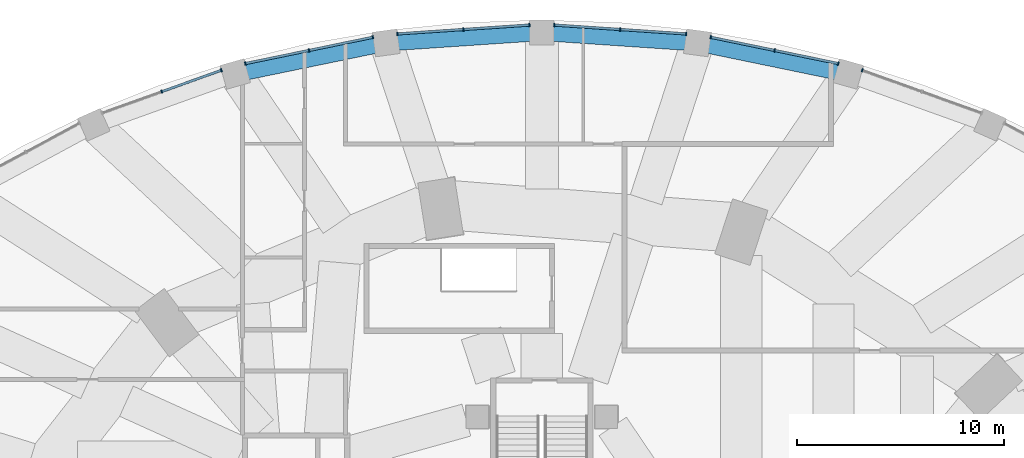
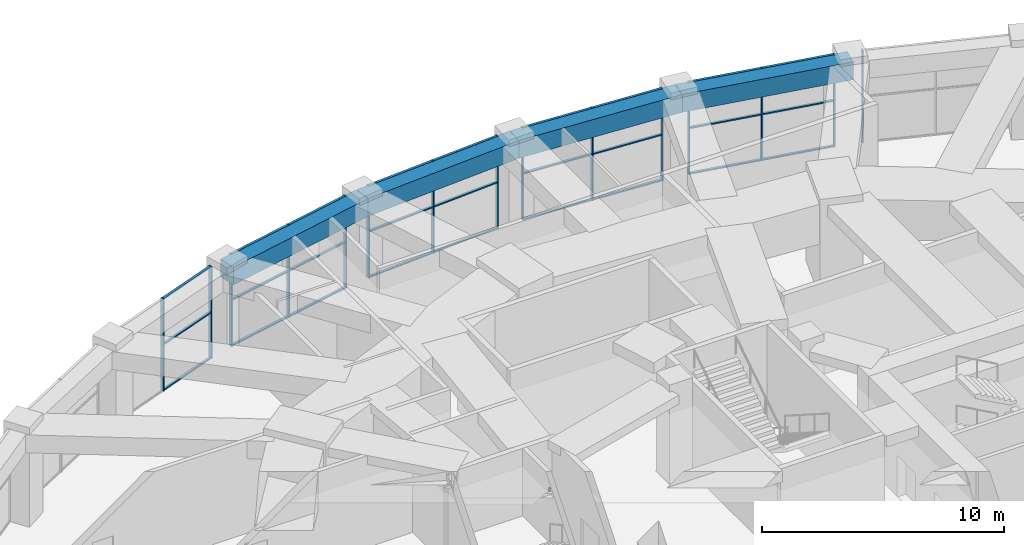
# One storey, part 16 of 30: 42 members, 4 beams, 6 elements without a shape of their own.
"""IFC4 building model written with IfcOpenShell, lengths in metres."""

from ifc_helpers import new_model, si_unit, direction, frame, origin, origin_2d, place, context, subcontext, project, spatial, rectangle, extrude, material, material_profile, profile_set, type_object, element, aggregate, save


model = new_model("IFC4")

# Units and contexts
model_context = context("Model", 3, precision=1e-05, world=origin(), true_north=direction((0.0, 1.0)))
body_context = subcontext(model_context, "Body", "Model", "MODEL_VIEW")
ifc_project = project(units=[si_unit("LENGTHUNIT", "METRE"), si_unit("AREAUNIT", "SQUARE_METRE"), si_unit("VOLUMEUNIT", "CUBIC_METRE"), si_unit("PLANEANGLEUNIT", "RADIAN"), si_unit("MASSUNIT", "GRAM", prefix="KILO")], contexts=[model_context])

# Site, building, storey
site_placement = place(None, origin())
site = spatial("IfcSite", under=ifc_project, at=site_placement, CompositionType="ELEMENT")
building_placement = place(site_placement, origin())
building = spatial("IfcBuilding", under=site, at=building_placement, Name="Taillehof Tower", CompositionType="ELEMENT")
storey_placement = place(building_placement, frame((0.0, 0.0, 12.5)))
storey = spatial("IfcBuildingStorey", under=building, at=storey_placement, Name="L02", CompositionType="ELEMENT", Elevation=12.5)

# Beams
ifc_material_1 = material(Name="Concrete C50/60", Category="concrete")
ifc_material_profile_1 = material_profile(ifc_material_1, rectangle(XDim=0.800048828125, YDim=0.89990234375, at=origin_2d()), Name="RC 800x900")
ifc_profile_set_1 = profile_set([ifc_material_profile_1], Name="Concrete C50/60")
beam_type = type_object("IfcBeamType", Name="Podium edge beam C50/60 800x900", PredefinedType="BEAM", material=ifc_profile_set_1)
beam_1_placement = place(storey_placement, frame((14.84375, 31.3857421875, 4.199951171875), z_axis=(-0.979394077534, 0.201958512797, 0.0), x_axis=(-0.201958512797, -0.979394077534, 0.0)))
element("IfcBeam", 1, at=beam_1_placement, inside=storey, type_object=beam_type, Name="Podium edge beam PB08", PredefinedType="BEAM", context=body_context, shape_type="SweptSolid", body=[
    extrude(rectangle(XDim=0.800048828125, YDim=0.89990234375, at=origin_2d()), origin(), (0.0, 0.0, 1.0), 7.461181640625),
])
for number, where, z_axis, x_axis, name in (
    (2, (7.536376953125, 32.892578125, 4.199951171875), (-0.997741900844, 0.067164717676, 0.0), (-0.067164717676, -0.997741900844, 0.0), "Podium edge beam PB09"),
    (3, (0.0, 33.39990234375, 4.199951171875), (-0.997741900844, -0.067164717676, 0.0), (0.067164717676, -0.997741900844, 0.0), "Podium edge beam PB10"),
):
    element("IfcBeam", number, at=place(storey_placement, frame(where, z_axis=z_axis, x_axis=x_axis)), inside=storey, type_object=beam_type, Name=name, PredefinedType="BEAM", context=body_context, shape_type="SweptSolid", body=[
        extrude(rectangle(XDim=0.800048828125, YDim=0.89990234375, at=origin_2d()), origin(), (0.0, 0.0, 1.0), 7.553466796875),
    ])
beam_2_placement = place(storey_placement, frame((-7.536376953125, 32.892578125, 4.199951171875), z_axis=(-0.979394077534, -0.201958512797, 0.0), x_axis=(0.201958512797, -0.979394077534, 0.0)))
element("IfcBeam", 4, at=beam_2_placement, inside=storey, type_object=beam_type, Name="Podium edge beam PB11", PredefinedType="BEAM", context=body_context, shape_type="SweptSolid", body=[
    extrude(rectangle(XDim=0.800048828125, YDim=0.89990234375, at=origin_2d()), origin(), (0.0, 0.0, 1.0), 7.461181640625),
])

# Curtain wall, member
ifc_material_2 = material(Name="Aluminium curtain wall with Clear low-emissivity double glazing", Category="aluminium")
curtain_wall_type = type_object("IfcCurtainWallType", Name="Podium window wall curtain wall", PredefinedType="USERDEFINED", material=ifc_material_2)
curtain_wall_1_placement = place(storey_placement, origin())
curtain_wall_1 = element("IfcCurtainWall", 5, at=curtain_wall_1_placement, inside=storey, type_object=curtain_wall_type, Name="Podium window wall L02 bay 7", ObjectType="WINDOW WALL", PredefinedType="USERDEFINED")
ifc_material_3 = material(Name="Aluminium mullion", Category="aluminium")
ifc_material_profile_2 = material_profile(ifc_material_3, rectangle(XDim=0.159912109375, YDim=0.06005859375, at=origin_2d()), Name="AL 60x160")
ifc_profile_set_2 = profile_set([ifc_material_profile_2], Name="Aluminium mullion")
member_type_1 = type_object("IfcMemberType", Name="Podium window wall mullion 60x160", PredefinedType="MULLION", material=ifc_profile_set_2)
member_1_placement = place(storey_placement, frame((15.51806640625, 31.567138671875, 0.0), z_axis=(0.0, 0.0, 1.0), x_axis=(-0.337798502496, -0.94121845058, 0.0)))
member_1 = element("IfcMember", 6, at=member_1_placement, type_object=member_type_1, Name="CT207 mullion 3", PredefinedType="MULLION", context=body_context, shape_type="SweptSolid", body=[
    extrude(rectangle(XDim=0.159912109375, YDim=0.06005859375, at=origin_2d()), origin(), (0.0, 0.0, 1.0), 4.64990234375),
])
aggregate(curtain_wall_1, [member_1])

# Curtain wall, members
curtain_wall_2_placement = place(storey_placement, origin())
curtain_wall_2 = element("IfcCurtainWall", 7, at=curtain_wall_2_placement, inside=storey, type_object=curtain_wall_type, Name="Podium window wall L02 bay 8", ObjectType="WINDOW WALL", PredefinedType="USERDEFINED")
member_2_placement = place(storey_placement, frame((14.36279296875, 31.891845703125, 0.0), z_axis=(0.0, 0.0, 1.0), x_axis=(-0.201976001877, -0.97939047099, 0.0)))
member_2 = element("IfcMember", 8, at=member_2_placement, type_object=member_type_1, Name="CT208 mullion 1", PredefinedType="MULLION", context=body_context, shape_type="SweptSolid", body=[
    extrude(rectangle(XDim=0.159912109375, YDim=0.06005859375, at=origin_2d()), origin(), (0.0, 0.0, 1.0), 4.64990234375),
])
member_3_placement = place(storey_placement, frame((11.27099609375, 32.529296875, 0.0), z_axis=(0.0, 0.0, 1.0), x_axis=(-0.201976001877, -0.97939047099, 0.0)))
member_3 = element("IfcMember", 9, at=member_3_placement, type_object=member_type_1, Name="CT208 mullion 2", PredefinedType="MULLION", context=body_context, shape_type="SweptSolid", body=[
    extrude(rectangle(XDim=0.159912109375, YDim=0.06005859375, at=origin_2d()), origin(), (0.0, 0.0, 1.0), 4.64990234375),
])
member_4_placement = place(storey_placement, frame((8.17919921875, 33.1669921875, 0.0), z_axis=(0.0, 0.0, 1.0), x_axis=(-0.201976001877, -0.97939047099, 0.0)))
member_4 = element("IfcMember", 10, at=member_4_placement, type_object=member_type_1, Name="CT208 mullion 3", PredefinedType="MULLION", context=body_context, shape_type="SweptSolid", body=[
    extrude(rectangle(XDim=0.159912109375, YDim=0.06005859375, at=origin_2d()), origin(), (0.0, 0.0, 1.0), 4.64990234375),
])

curtain_wall_3_placement = place(storey_placement, origin())
curtain_wall_3 = element("IfcCurtainWall", 11, at=curtain_wall_3_placement, inside=storey, type_object=curtain_wall_type, Name="Podium window wall L02 bay 9", ObjectType="WINDOW WALL", PredefinedType="USERDEFINED")
member_5_placement = place(storey_placement, frame((6.990234375, 33.328857421875, 0.0), z_axis=(0.0, 0.0, 1.0), x_axis=(-0.067182989977, -0.997740670644, 0.0)))
member_5 = element("IfcMember", 12, at=member_5_placement, type_object=member_type_1, Name="CT209 mullion 1", PredefinedType="MULLION", context=body_context, shape_type="SweptSolid", body=[
    extrude(rectangle(XDim=0.159912109375, YDim=0.06005859375, at=origin_2d()), origin(), (0.0, 0.0, 1.0), 4.64990234375),
])
member_6_placement = place(storey_placement, frame((3.795166015625, 33.5439453125, 0.0), z_axis=(0.0, 0.0, 1.0), x_axis=(-0.067182989977, -0.997740670644, 0.0)))
member_6 = element("IfcMember", 13, at=member_6_placement, type_object=member_type_1, Name="CT209 mullion 2", PredefinedType="MULLION", context=body_context, shape_type="SweptSolid", body=[
    extrude(rectangle(XDim=0.159912109375, YDim=0.06005859375, at=origin_2d()), origin(), (0.0, 0.0, 1.0), 4.64990234375),
])
member_7_placement = place(storey_placement, frame((0.60009765625, 33.759033203125, 0.0), z_axis=(0.0, 0.0, 1.0), x_axis=(-0.067182989977, -0.997740670644, 0.0)))
member_7 = element("IfcMember", 14, at=member_7_placement, type_object=member_type_1, Name="CT209 mullion 3", PredefinedType="MULLION", context=body_context, shape_type="SweptSolid", body=[
    extrude(rectangle(XDim=0.159912109375, YDim=0.06005859375, at=origin_2d()), origin(), (0.0, 0.0, 1.0), 4.64990234375),
])

curtain_wall_4_placement = place(storey_placement, origin())
curtain_wall_4 = element("IfcCurtainWall", 15, at=curtain_wall_4_placement, inside=storey, type_object=curtain_wall_type, Name="Podium window wall L02 bay 10", ObjectType="WINDOW WALL", PredefinedType="USERDEFINED")
member_8_placement = place(storey_placement, frame((-0.60009765625, 33.759033203125, 0.0), z_axis=(0.0, 0.0, 1.0), x_axis=(0.067182989977, -0.997740670644, 0.0)))
member_8 = element("IfcMember", 16, at=member_8_placement, type_object=member_type_1, Name="CT210 mullion 1", PredefinedType="MULLION", context=body_context, shape_type="SweptSolid", body=[
    extrude(rectangle(XDim=0.159912109375, YDim=0.06005859375, at=origin_2d()), origin(), (0.0, 0.0, 1.0), 4.64990234375),
])
member_9_placement = place(storey_placement, frame((-3.795166015625, 33.5439453125, 0.0), z_axis=(0.0, 0.0, 1.0), x_axis=(0.067182989977, -0.997740670644, 0.0)))
member_9 = element("IfcMember", 17, at=member_9_placement, type_object=member_type_1, Name="CT210 mullion 2", PredefinedType="MULLION", context=body_context, shape_type="SweptSolid", body=[
    extrude(rectangle(XDim=0.159912109375, YDim=0.06005859375, at=origin_2d()), origin(), (0.0, 0.0, 1.0), 4.64990234375),
])
member_10_placement = place(storey_placement, frame((-6.990234375, 33.328857421875, 0.0), z_axis=(0.0, 0.0, 1.0), x_axis=(0.067182989977, -0.997740670644, 0.0)))
member_10 = element("IfcMember", 18, at=member_10_placement, type_object=member_type_1, Name="CT210 mullion 3", PredefinedType="MULLION", context=body_context, shape_type="SweptSolid", body=[
    extrude(rectangle(XDim=0.159912109375, YDim=0.06005859375, at=origin_2d()), origin(), (0.0, 0.0, 1.0), 4.64990234375),
])

curtain_wall_5_placement = place(storey_placement, origin())
curtain_wall_5 = element("IfcCurtainWall", 19, at=curtain_wall_5_placement, inside=storey, type_object=curtain_wall_type, Name="Podium window wall L02 bay 11", ObjectType="WINDOW WALL", PredefinedType="USERDEFINED")
member_11_placement = place(storey_placement, frame((-8.17919921875, 33.1669921875, 0.0), z_axis=(0.0, 0.0, 1.0), x_axis=(0.201976001877, -0.97939047099, 0.0)))
member_11 = element("IfcMember", 20, at=member_11_placement, type_object=member_type_1, Name="CT211 mullion 1", PredefinedType="MULLION", context=body_context, shape_type="SweptSolid", body=[
    extrude(rectangle(XDim=0.159912109375, YDim=0.06005859375, at=origin_2d()), origin(), (0.0, 0.0, 1.0), 4.64990234375),
])
member_12_placement = place(storey_placement, frame((-11.27099609375, 32.529296875, 0.0), z_axis=(0.0, 0.0, 1.0), x_axis=(0.201976001877, -0.97939047099, 0.0)))
member_12 = element("IfcMember", 21, at=member_12_placement, type_object=member_type_1, Name="CT211 mullion 2", PredefinedType="MULLION", context=body_context, shape_type="SweptSolid", body=[
    extrude(rectangle(XDim=0.159912109375, YDim=0.06005859375, at=origin_2d()), origin(), (0.0, 0.0, 1.0), 4.64990234375),
])
member_13_placement = place(storey_placement, frame((-14.36279296875, 31.891845703125, 0.0), z_axis=(0.0, 0.0, 1.0), x_axis=(0.201976001877, -0.97939047099, 0.0)))
member_13 = element("IfcMember", 22, at=member_13_placement, type_object=member_type_1, Name="CT211 mullion 3", PredefinedType="MULLION", context=body_context, shape_type="SweptSolid", body=[
    extrude(rectangle(XDim=0.159912109375, YDim=0.06005859375, at=origin_2d()), origin(), (0.0, 0.0, 1.0), 4.64990234375),
])

curtain_wall_6_placement = place(storey_placement, origin())
curtain_wall_6 = element("IfcCurtainWall", 23, at=curtain_wall_6_placement, inside=storey, type_object=curtain_wall_type, Name="Podium window wall L02 bay 12", ObjectType="WINDOW WALL", PredefinedType="USERDEFINED")
member_14_placement = place(storey_placement, frame((-15.51806640625, 31.567138671875, 0.0), z_axis=(0.0, 0.0, 1.0), x_axis=(0.337798502496, -0.94121845058, 0.0)))
member_14 = element("IfcMember", 24, at=member_14_placement, type_object=member_type_1, Name="CT212 mullion 1", PredefinedType="MULLION", context=body_context, shape_type="SweptSolid", body=[
    extrude(rectangle(XDim=0.159912109375, YDim=0.06005859375, at=origin_2d()), origin(), (0.0, 0.0, 1.0), 4.64990234375),
])
member_15_placement = place(storey_placement, frame((-18.4072265625, 30.5302734375, 0.0), z_axis=(0.0, 0.0, 1.0), x_axis=(0.337798502496, -0.94121845058, 0.0)))
member_15 = element("IfcMember", 25, at=member_15_placement, type_object=member_type_1, Name="CT212 mullion 2", PredefinedType="MULLION", context=body_context, shape_type="SweptSolid", body=[
    extrude(rectangle(XDim=0.159912109375, YDim=0.06005859375, at=origin_2d()), origin(), (0.0, 0.0, 1.0), 4.64990234375),
])

# Member
ifc_material_4 = material(Name="Aluminium transom", Category="aluminium")
ifc_material_profile_3 = material_profile(ifc_material_4, rectangle(XDim=0.1201171875, YDim=0.06005859375, at=origin_2d()), Name="AL 120x60")
ifc_profile_set_3 = profile_set([ifc_material_profile_3], Name="Aluminium transom")
member_type_2 = type_object("IfcMemberType", Name="Podium window wall transom 120x60", PredefinedType="USERDEFINED", material=ifc_profile_set_3)
member_16_placement = place(storey_placement, frame((14.333251953125, 31.89794921875, 0.030029296875), z_axis=(-0.979389666619, 0.201979902268, 0.0), x_axis=(-0.201979902268, -0.979389666619, 0.0)))
member_16 = element("IfcMember", 26, at=member_16_placement, type_object=member_type_2, Name="CT208 transom 1.1", ObjectType="TRANSOM", PredefinedType="USERDEFINED", context=body_context, shape_type="SweptSolid", body=[
    extrude(rectangle(XDim=0.1201171875, YDim=0.06005859375, at=origin_2d()), origin(), (0.0, 0.0, 1.0), 3.0966796875),
])

member_17_placement = place(storey_placement, frame((14.333251953125, 31.89794921875, 2.324951171875), z_axis=(-0.979389666619, 0.201979902268, 0.0), x_axis=(-0.201979902268, -0.979389666619, 0.0)))
member_17 = element("IfcMember", 27, at=member_17_placement, type_object=member_type_2, Name="CT208 transom 1.2", ObjectType="TRANSOM", PredefinedType="USERDEFINED", context=body_context, shape_type="SweptSolid", body=[
    extrude(rectangle(XDim=0.1201171875, YDim=0.06005859375, at=origin_2d()), origin(), (0.0, 0.0, 1.0), 3.0966796875),
])

member_18_placement = place(storey_placement, frame((14.333251953125, 31.89794921875, 4.6201171875), z_axis=(-0.979389666619, 0.201979902268, 0.0), x_axis=(-0.201979902268, -0.979389666619, 0.0)))
member_18 = element("IfcMember", 28, at=member_18_placement, type_object=member_type_2, Name="CT208 transom 1.3", ObjectType="TRANSOM", PredefinedType="USERDEFINED", context=body_context, shape_type="SweptSolid", body=[
    extrude(rectangle(XDim=0.1201171875, YDim=0.06005859375, at=origin_2d()), origin(), (0.0, 0.0, 1.0), 3.0966796875),
])

member_19_placement = place(storey_placement, frame((11.24169921875, 32.535400390625, 0.030029296875), z_axis=(-0.979389666619, 0.201979902268, 0.0), x_axis=(-0.201979902268, -0.979389666619, 0.0)))
member_19 = element("IfcMember", 29, at=member_19_placement, type_object=member_type_2, Name="CT208 transom 2.1", ObjectType="TRANSOM", PredefinedType="USERDEFINED", context=body_context, shape_type="SweptSolid", body=[
    extrude(rectangle(XDim=0.1201171875, YDim=0.06005859375, at=origin_2d()), origin(), (0.0, 0.0, 1.0), 3.0966796875),
])

member_20_placement = place(storey_placement, frame((11.24169921875, 32.535400390625, 2.324951171875), z_axis=(-0.979389666619, 0.201979902268, 0.0), x_axis=(-0.201979902268, -0.979389666619, 0.0)))
member_20 = element("IfcMember", 30, at=member_20_placement, type_object=member_type_2, Name="CT208 transom 2.2", ObjectType="TRANSOM", PredefinedType="USERDEFINED", context=body_context, shape_type="SweptSolid", body=[
    extrude(rectangle(XDim=0.1201171875, YDim=0.06005859375, at=origin_2d()), origin(), (0.0, 0.0, 1.0), 3.0966796875),
])

member_21_placement = place(storey_placement, frame((11.24169921875, 32.535400390625, 4.6201171875), z_axis=(-0.979389666619, 0.201979902268, 0.0), x_axis=(-0.201979902268, -0.979389666619, 0.0)))
member_21 = element("IfcMember", 31, at=member_21_placement, type_object=member_type_2, Name="CT208 transom 2.3", ObjectType="TRANSOM", PredefinedType="USERDEFINED", context=body_context, shape_type="SweptSolid", body=[
    extrude(rectangle(XDim=0.1201171875, YDim=0.06005859375, at=origin_2d()), origin(), (0.0, 0.0, 1.0), 3.0966796875),
])

aggregate(curtain_wall_2, [member_2, member_3, member_4, member_16, member_17, member_18, member_19, member_20, member_21])

member_22_placement = place(storey_placement, frame((6.960205078125, 33.330810546875, 0.030029296875), z_axis=(-0.997739199903, 0.067204828525, 0.0), x_axis=(-0.067204828525, -0.997739199903, 0.0)))
member_22 = element("IfcMember", 32, at=member_22_placement, type_object=member_type_2, Name="CT209 transom 1.1", ObjectType="TRANSOM", PredefinedType="USERDEFINED", context=body_context, shape_type="SweptSolid", body=[
    extrude(rectangle(XDim=0.1201171875, YDim=0.06005859375, at=origin_2d()), origin(), (0.0, 0.0, 1.0), 3.142333984375),
])

member_23_placement = place(storey_placement, frame((6.960205078125, 33.330810546875, 2.324951171875), z_axis=(-0.997739199903, 0.067204828525, 0.0), x_axis=(-0.067204828525, -0.997739199903, 0.0)))
member_23 = element("IfcMember", 33, at=member_23_placement, type_object=member_type_2, Name="CT209 transom 1.2", ObjectType="TRANSOM", PredefinedType="USERDEFINED", context=body_context, shape_type="SweptSolid", body=[
    extrude(rectangle(XDim=0.1201171875, YDim=0.06005859375, at=origin_2d()), origin(), (0.0, 0.0, 1.0), 3.142333984375),
])

member_24_placement = place(storey_placement, frame((6.960205078125, 33.330810546875, 4.6201171875), z_axis=(-0.997739199903, 0.067204828525, 0.0), x_axis=(-0.067204828525, -0.997739199903, 0.0)))
member_24 = element("IfcMember", 34, at=member_24_placement, type_object=member_type_2, Name="CT209 transom 1.3", ObjectType="TRANSOM", PredefinedType="USERDEFINED", context=body_context, shape_type="SweptSolid", body=[
    extrude(rectangle(XDim=0.1201171875, YDim=0.06005859375, at=origin_2d()), origin(), (0.0, 0.0, 1.0), 3.142333984375),
])

member_25_placement = place(storey_placement, frame((3.76513671875, 33.5458984375, 0.030029296875), z_axis=(-0.997739199903, 0.067204828525, 0.0), x_axis=(-0.067204828525, -0.997739199903, 0.0)))
member_25 = element("IfcMember", 35, at=member_25_placement, type_object=member_type_2, Name="CT209 transom 2.1", ObjectType="TRANSOM", PredefinedType="USERDEFINED", context=body_context, shape_type="SweptSolid", body=[
    extrude(rectangle(XDim=0.1201171875, YDim=0.06005859375, at=origin_2d()), origin(), (0.0, 0.0, 1.0), 3.142333984375),
])

member_26_placement = place(storey_placement, frame((3.76513671875, 33.5458984375, 2.324951171875), z_axis=(-0.997739199903, 0.067204828525, 0.0), x_axis=(-0.067204828525, -0.997739199903, 0.0)))
member_26 = element("IfcMember", 36, at=member_26_placement, type_object=member_type_2, Name="CT209 transom 2.2", ObjectType="TRANSOM", PredefinedType="USERDEFINED", context=body_context, shape_type="SweptSolid", body=[
    extrude(rectangle(XDim=0.1201171875, YDim=0.06005859375, at=origin_2d()), origin(), (0.0, 0.0, 1.0), 3.142333984375),
])

member_27_placement = place(storey_placement, frame((3.76513671875, 33.5458984375, 4.6201171875), z_axis=(-0.997739199903, 0.067204828525, 0.0), x_axis=(-0.067204828525, -0.997739199903, 0.0)))
member_27 = element("IfcMember", 37, at=member_27_placement, type_object=member_type_2, Name="CT209 transom 2.3", ObjectType="TRANSOM", PredefinedType="USERDEFINED", context=body_context, shape_type="SweptSolid", body=[
    extrude(rectangle(XDim=0.1201171875, YDim=0.06005859375, at=origin_2d()), origin(), (0.0, 0.0, 1.0), 3.142333984375),
])

aggregate(curtain_wall_3, [member_5, member_6, member_7, member_22, member_23, member_24, member_25, member_26, member_27])

member_28_placement = place(storey_placement, frame((-0.6298828125, 33.757080078125, 0.030029296875), z_axis=(-0.997739199903, -0.067204828525, 0.0), x_axis=(0.067204828525, -0.997739199903, 0.0)))
member_28 = element("IfcMember", 38, at=member_28_placement, type_object=member_type_2, Name="CT210 transom 1.1", ObjectType="TRANSOM", PredefinedType="USERDEFINED", context=body_context, shape_type="SweptSolid", body=[
    extrude(rectangle(XDim=0.1201171875, YDim=0.06005859375, at=origin_2d()), origin(), (0.0, 0.0, 1.0), 3.142333984375),
])

member_29_placement = place(storey_placement, frame((-0.6298828125, 33.757080078125, 2.324951171875), z_axis=(-0.997739199903, -0.067204828525, 0.0), x_axis=(0.067204828525, -0.997739199903, 0.0)))
member_29 = element("IfcMember", 39, at=member_29_placement, type_object=member_type_2, Name="CT210 transom 1.2", ObjectType="TRANSOM", PredefinedType="USERDEFINED", context=body_context, shape_type="SweptSolid", body=[
    extrude(rectangle(XDim=0.1201171875, YDim=0.06005859375, at=origin_2d()), origin(), (0.0, 0.0, 1.0), 3.142333984375),
])

member_30_placement = place(storey_placement, frame((-0.6298828125, 33.757080078125, 4.6201171875), z_axis=(-0.997739199903, -0.067204828525, 0.0), x_axis=(0.067204828525, -0.997739199903, 0.0)))
member_30 = element("IfcMember", 40, at=member_30_placement, type_object=member_type_2, Name="CT210 transom 1.3", ObjectType="TRANSOM", PredefinedType="USERDEFINED", context=body_context, shape_type="SweptSolid", body=[
    extrude(rectangle(XDim=0.1201171875, YDim=0.06005859375, at=origin_2d()), origin(), (0.0, 0.0, 1.0), 3.142333984375),
])

member_31_placement = place(storey_placement, frame((-3.824951171875, 33.5419921875, 0.030029296875), z_axis=(-0.997739199903, -0.067204828525, 0.0), x_axis=(0.067204828525, -0.997739199903, 0.0)))
member_31 = element("IfcMember", 41, at=member_31_placement, type_object=member_type_2, Name="CT210 transom 2.1", ObjectType="TRANSOM", PredefinedType="USERDEFINED", context=body_context, shape_type="SweptSolid", body=[
    extrude(rectangle(XDim=0.1201171875, YDim=0.06005859375, at=origin_2d()), origin(), (0.0, 0.0, 1.0), 3.142333984375),
])

member_32_placement = place(storey_placement, frame((-3.824951171875, 33.5419921875, 2.324951171875), z_axis=(-0.997739199903, -0.067204828525, 0.0), x_axis=(0.067204828525, -0.997739199903, 0.0)))
member_32 = element("IfcMember", 42, at=member_32_placement, type_object=member_type_2, Name="CT210 transom 2.2", ObjectType="TRANSOM", PredefinedType="USERDEFINED", context=body_context, shape_type="SweptSolid", body=[
    extrude(rectangle(XDim=0.1201171875, YDim=0.06005859375, at=origin_2d()), origin(), (0.0, 0.0, 1.0), 3.142333984375),
])

member_33_placement = place(storey_placement, frame((-3.824951171875, 33.5419921875, 4.6201171875), z_axis=(-0.997739199903, -0.067204828525, 0.0), x_axis=(0.067204828525, -0.997739199903, 0.0)))
member_33 = element("IfcMember", 43, at=member_33_placement, type_object=member_type_2, Name="CT210 transom 2.3", ObjectType="TRANSOM", PredefinedType="USERDEFINED", context=body_context, shape_type="SweptSolid", body=[
    extrude(rectangle(XDim=0.1201171875, YDim=0.06005859375, at=origin_2d()), origin(), (0.0, 0.0, 1.0), 3.142333984375),
])

aggregate(curtain_wall_4, [member_8, member_9, member_10, member_28, member_29, member_30, member_31, member_32, member_33])

member_34_placement = place(storey_placement, frame((-8.208740234375, 33.160888671875, 0.030029296875), z_axis=(-0.979389666619, -0.201979902268, 0.0), x_axis=(0.201979902268, -0.979389666619, 0.0)))
member_34 = element("IfcMember", 44, at=member_34_placement, type_object=member_type_2, Name="CT211 transom 1.1", ObjectType="TRANSOM", PredefinedType="USERDEFINED", context=body_context, shape_type="SweptSolid", body=[
    extrude(rectangle(XDim=0.1201171875, YDim=0.06005859375, at=origin_2d()), origin(), (0.0, 0.0, 1.0), 3.0966796875),
])

member_35_placement = place(storey_placement, frame((-8.208740234375, 33.160888671875, 2.324951171875), z_axis=(-0.979389666619, -0.201979902268, 0.0), x_axis=(0.201979902268, -0.979389666619, 0.0)))
member_35 = element("IfcMember", 45, at=member_35_placement, type_object=member_type_2, Name="CT211 transom 1.2", ObjectType="TRANSOM", PredefinedType="USERDEFINED", context=body_context, shape_type="SweptSolid", body=[
    extrude(rectangle(XDim=0.1201171875, YDim=0.06005859375, at=origin_2d()), origin(), (0.0, 0.0, 1.0), 3.0966796875),
])

member_36_placement = place(storey_placement, frame((-8.208740234375, 33.160888671875, 4.6201171875), z_axis=(-0.979389666619, -0.201979902268, 0.0), x_axis=(0.201979902268, -0.979389666619, 0.0)))
member_36 = element("IfcMember", 46, at=member_36_placement, type_object=member_type_2, Name="CT211 transom 1.3", ObjectType="TRANSOM", PredefinedType="USERDEFINED", context=body_context, shape_type="SweptSolid", body=[
    extrude(rectangle(XDim=0.1201171875, YDim=0.06005859375, at=origin_2d()), origin(), (0.0, 0.0, 1.0), 3.0966796875),
])

member_37_placement = place(storey_placement, frame((-11.30029296875, 32.5234375, 0.030029296875), z_axis=(-0.979389666619, -0.201979902268, 0.0), x_axis=(0.201979902268, -0.979389666619, 0.0)))
member_37 = element("IfcMember", 47, at=member_37_placement, type_object=member_type_2, Name="CT211 transom 2.1", ObjectType="TRANSOM", PredefinedType="USERDEFINED", context=body_context, shape_type="SweptSolid", body=[
    extrude(rectangle(XDim=0.1201171875, YDim=0.06005859375, at=origin_2d()), origin(), (0.0, 0.0, 1.0), 3.0966796875),
])

member_38_placement = place(storey_placement, frame((-11.30029296875, 32.5234375, 2.324951171875), z_axis=(-0.979389666619, -0.201979902268, 0.0), x_axis=(0.201979902268, -0.979389666619, 0.0)))
member_38 = element("IfcMember", 48, at=member_38_placement, type_object=member_type_2, Name="CT211 transom 2.2", ObjectType="TRANSOM", PredefinedType="USERDEFINED", context=body_context, shape_type="SweptSolid", body=[
    extrude(rectangle(XDim=0.1201171875, YDim=0.06005859375, at=origin_2d()), origin(), (0.0, 0.0, 1.0), 3.0966796875),
])

member_39_placement = place(storey_placement, frame((-11.30029296875, 32.5234375, 4.6201171875), z_axis=(-0.979389666619, -0.201979902268, 0.0), x_axis=(0.201979902268, -0.979389666619, 0.0)))
member_39 = element("IfcMember", 49, at=member_39_placement, type_object=member_type_2, Name="CT211 transom 2.3", ObjectType="TRANSOM", PredefinedType="USERDEFINED", context=body_context, shape_type="SweptSolid", body=[
    extrude(rectangle(XDim=0.1201171875, YDim=0.06005859375, at=origin_2d()), origin(), (0.0, 0.0, 1.0), 3.0966796875),
])

aggregate(curtain_wall_5, [member_11, member_12, member_13, member_34, member_35, member_36, member_37, member_38, member_39])

member_40_placement = place(storey_placement, frame((-15.546142578125, 31.556884765625, 0.030029296875), z_axis=(-0.941225092519, -0.337779995281, 0.0), x_axis=(0.337779995281, -0.941225092519, 0.0)))
member_40 = element("IfcMember", 50, at=member_40_placement, type_object=member_type_2, Name="CT212 transom 1.1", ObjectType="TRANSOM", PredefinedType="USERDEFINED", context=body_context, shape_type="SweptSolid", body=[
    extrude(rectangle(XDim=0.1201171875, YDim=0.06005859375, at=origin_2d()), origin(), (0.0, 0.0, 1.0), 3.009765625),
])

member_41_placement = place(storey_placement, frame((-15.546142578125, 31.556884765625, 2.324951171875), z_axis=(-0.941225092519, -0.337779995281, 0.0), x_axis=(0.337779995281, -0.941225092519, 0.0)))
member_41 = element("IfcMember", 51, at=member_41_placement, type_object=member_type_2, Name="CT212 transom 1.2", ObjectType="TRANSOM", PredefinedType="USERDEFINED", context=body_context, shape_type="SweptSolid", body=[
    extrude(rectangle(XDim=0.1201171875, YDim=0.06005859375, at=origin_2d()), origin(), (0.0, 0.0, 1.0), 3.009765625),
])

member_42_placement = place(storey_placement, frame((-15.546142578125, 31.556884765625, 4.6201171875), z_axis=(-0.941225092519, -0.337779995281, 0.0), x_axis=(0.337779995281, -0.941225092519, 0.0)))
member_42 = element("IfcMember", 52, at=member_42_placement, type_object=member_type_2, Name="CT212 transom 1.3", ObjectType="TRANSOM", PredefinedType="USERDEFINED", context=body_context, shape_type="SweptSolid", body=[
    extrude(rectangle(XDim=0.1201171875, YDim=0.06005859375, at=origin_2d()), origin(), (0.0, 0.0, 1.0), 3.009765625),
])

aggregate(curtain_wall_6, [member_14, member_15, member_40, member_41, member_42])

save(model, "model.ifc")
